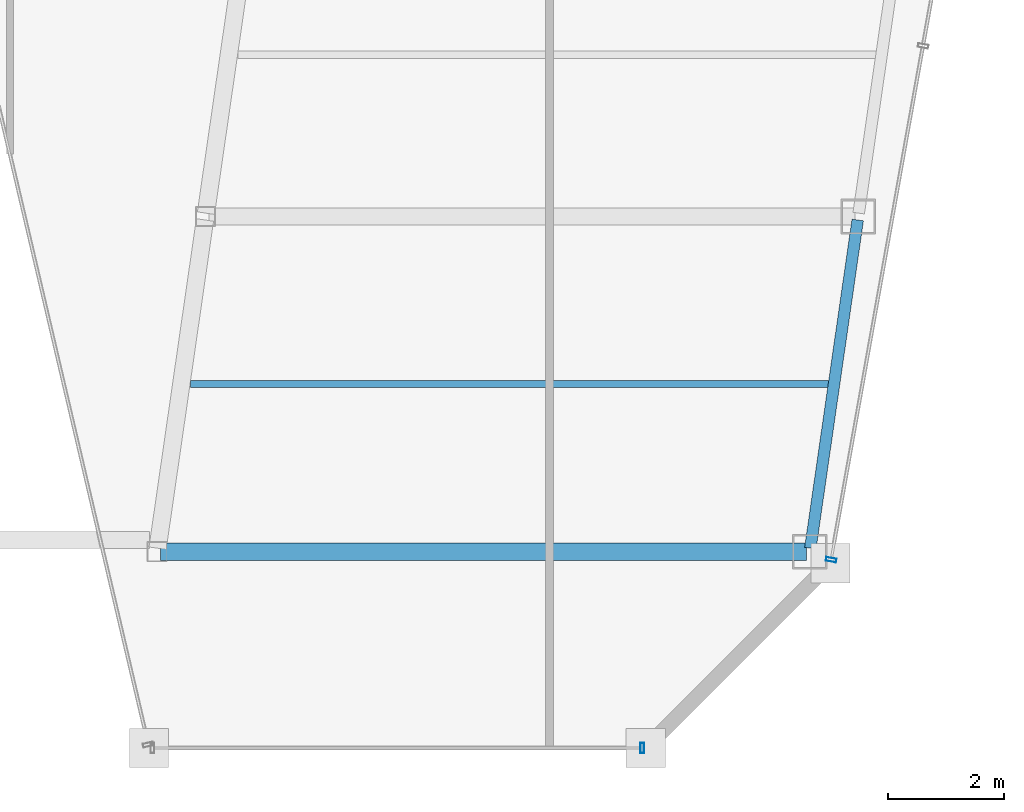
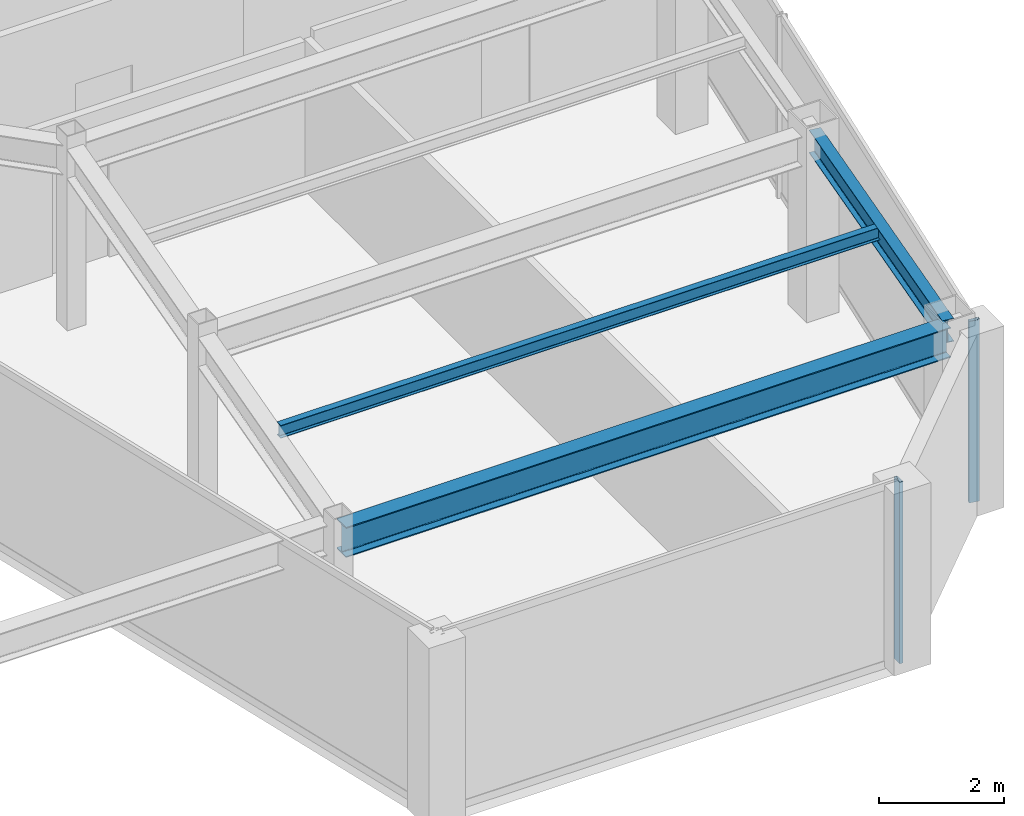
# One storey, part 14 of 32: 3 beams, 2 members, 2 elements without a shape of their own.
"""IFC4 building model written with IfcOpenShell, lengths in metres."""

from ifc_helpers import new_model, si_unit, direction, frame, origin, origin_2d, place, context, subcontext, project, spatial, hollow_rectangle, i_section, extrude, material, material_profile, profile_set, type_object, element, aggregate, save


model = new_model("IFC4")

# Units and contexts
model_context = context("Model", 3, precision=1e-05, world=origin(), true_north=direction((0.0, 1.0)))
body_context = subcontext(model_context, "Body", "Model", "MODEL_VIEW")
ifc_project = project(units=[si_unit("LENGTHUNIT", "METRE"), si_unit("AREAUNIT", "SQUARE_METRE"), si_unit("VOLUMEUNIT", "CUBIC_METRE"), si_unit("PLANEANGLEUNIT", "RADIAN"), si_unit("MASSUNIT", "GRAM", prefix="KILO")], contexts=[model_context])

# Site, building, storey
site_placement = place(None, origin())
site = spatial("IfcSite", under=ifc_project, at=site_placement, CompositionType="ELEMENT")
building_placement = place(site_placement, origin())
building = spatial("IfcBuilding", under=site, at=building_placement, Name="Saevonmaru Cultural Tower", CompositionType="ELEMENT")
storey_placement = place(building_placement, frame((0.0, 0.0, 268.60009765625)))
storey = spatial("IfcBuildingStorey", under=building, at=storey_placement, Name="L63", CompositionType="ELEMENT", Elevation=268.60009765625)

# Beams
ifc_material_1 = material(Name="Steel SM355", Category="steel")
ifc_material_profile_1 = material_profile(ifc_material_1, i_section(OverallWidth=0.300048828125, OverallDepth=0.587890625, WebThickness=0.011962890625, FlangeThickness=0.02001953125, FilletRadius=0.02392578125, at=origin_2d()), Name="H-588x300x12x20")
ifc_profile_set_1 = profile_set([ifc_material_profile_1], Name="Steel SM355")
beam_type_1 = type_object("IfcBeamType", Name="BM-G-H588", PredefinedType="BEAM", material=ifc_profile_set_1)
beam_1_placement = place(storey_placement, frame((39.60595703125, 26.199951171875, 3.255859375), z_axis=(1.0, 0.0, 0.0), x_axis=(0.0, 1.0, 0.0)))
element("IfcBeam", 1, at=beam_1_placement, inside=storey, type_object=beam_type_1, Name="L63 East Wing Transverse Girder 1", PredefinedType="BEAM", context=body_context, shape_type="SweptSolid", body=[
    extrude(i_section(OverallWidth=0.300048828125, OverallDepth=0.587890625, WebThickness=0.011962890625, FlangeThickness=0.02001953125, FilletRadius=0.02392578125, at=origin_2d()), origin(), (0.0, 0.0, 1.0), 11.179931640625),
])
ifc_material_profile_2 = material_profile(ifc_material_1, i_section(OverallWidth=0.125, OverallDepth=0.25, WebThickness=0.006103515625, FlangeThickness=0.009033203125, FilletRadius=0.008056640625, at=origin_2d()), Name="H-250x125x6x9")
ifc_profile_set_2 = profile_set([ifc_material_profile_2], Name="Steel SM355")
beam_type_2 = type_object("IfcBeamType", Name="BM-J-H250", PredefinedType="JOIST", material=ifc_profile_set_2)
beam_2_placement = place(storey_placement, frame((40.12255859375, 29.10009765625, 3.4248046875), z_axis=(1.0, 0.0, 0.0), x_axis=(0.0, 1.0, 0.0)))
element("IfcBeam", 2, at=beam_2_placement, inside=storey, type_object=beam_type_2, Name="L63 East Wing Floor Joist 1", PredefinedType="JOIST", context=body_context, shape_type="SweptSolid", body=[
    extrude(i_section(OverallWidth=0.125, OverallDepth=0.25, WebThickness=0.006103515625, FlangeThickness=0.009033203125, FilletRadius=0.008056640625, at=origin_2d()), origin(), (0.0, 0.0, 1.0), 11.08203125),
])
ifc_material_profile_3 = material_profile(ifc_material_1, i_section(OverallWidth=0.199951171875, OverallDepth=0.449951171875, WebThickness=0.009033203125, FlangeThickness=0.013916015625, FilletRadius=0.01806640625, at=origin_2d()), Name="H-450x200x9x14")
ifc_profile_set_3 = profile_set([ifc_material_profile_3], Name="Steel SM355")
beam_type_3 = type_object("IfcBeamType", Name="BM-SP-H450", PredefinedType="SPANDREL", material=ifc_profile_set_3)
beam_3_placement = place(storey_placement, frame((50.8544921875, 26.259521484375, 3.324951171875), z_axis=(0.142826510921, 0.989747739466, 0.0), x_axis=(-0.989747739466, 0.142826510921, 0.0)))
element("IfcBeam", 3, at=beam_3_placement, inside=storey, type_object=beam_type_3, Name="L63 East Splayed Spandrel 1", PredefinedType="SPANDREL", context=body_context, shape_type="SweptSolid", body=[
    extrude(i_section(OverallWidth=0.199951171875, OverallDepth=0.449951171875, WebThickness=0.009033203125, FlangeThickness=0.013916015625, FilletRadius=0.01806640625, at=origin_2d()), origin(), (0.0, 0.0, 1.0), 5.739990234375),
])

# Curtain wall, member
ifc_material_2 = material(Name="Satin Bronze Anodised Aluminium", Category="aluminium")
curtain_wall_type = type_object("IfcCurtainWallType", Name="CW-TYP-B", PredefinedType="NOTDEFINED", material=ifc_material_2)
curtain_wall_1_placement = place(storey_placement, origin())
curtain_wall_1 = element("IfcCurtainWall", 4, at=curtain_wall_1_placement, inside=storey, type_object=curtain_wall_type, Name="L63 Unitised Curtain Wall E6", PredefinedType="NOTDEFINED")
ifc_material_profile_4 = material_profile(ifc_material_2, hollow_rectangle(XDim=0.06494140625, YDim=0.179931640625, WallThickness=0.00390625, at=origin_2d()), Name="ALU-MULL-180x65x4")
ifc_profile_set_4 = profile_set([ifc_material_profile_4], Name="Satin Bronze Anodised Aluminium")
member_type = type_object("IfcMemberType", Name="ML-CW-180x65", PredefinedType="MULLION", material=ifc_profile_set_4)
member_1_placement = place(storey_placement, frame((47.9443359375, 22.800048828125, 0.0), z_axis=(0.0, 0.0, 1.0), x_axis=(1.0, 0.0, 0.0)))
member_1 = element("IfcMember", 5, at=member_1_placement, type_object=member_type, Name="CW-TW-L63-E6 mullion 2", PredefinedType="MULLION", context=body_context, shape_type="SweptSolid", body=[
    extrude(hollow_rectangle(XDim=0.06494140625, YDim=0.179931640625, WallThickness=0.00390625, at=origin_2d()), origin(), (0.0, 0.0, 1.0), 3.5498046875),
])
aggregate(curtain_wall_1, [member_1])

curtain_wall_2_placement = place(storey_placement, origin())
curtain_wall_2 = element("IfcCurtainWall", 6, at=curtain_wall_2_placement, inside=storey, type_object=curtain_wall_type, Name="L63 Unitised Curtain Wall E8", PredefinedType="NOTDEFINED")
member_2_placement = place(storey_placement, frame((51.215087890625, 26.05908203125, 0.0), z_axis=(0.0, 0.0, 1.0), x_axis=(0.176140740755, 0.984364993001, 0.0)))
member_2 = element("IfcMember", 7, at=member_2_placement, type_object=member_type, Name="CW-TW-L63-E8 mullion 1", PredefinedType="MULLION", context=body_context, shape_type="SweptSolid", body=[
    extrude(hollow_rectangle(XDim=0.06494140625, YDim=0.179931640625, WallThickness=0.00390625, at=origin_2d()), origin(), (0.0, 0.0, 1.0), 3.5498046875),
])
aggregate(curtain_wall_2, [member_2])

save(model, "model.ifc")
